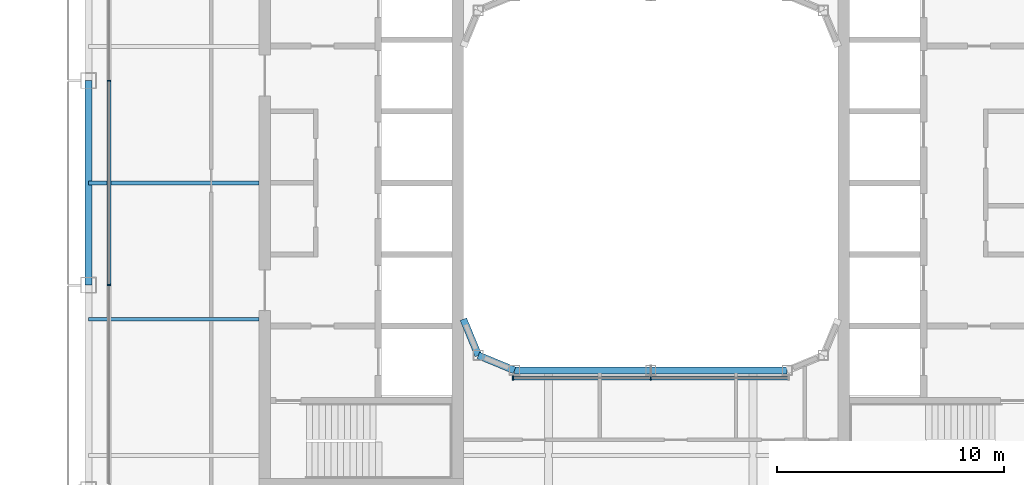
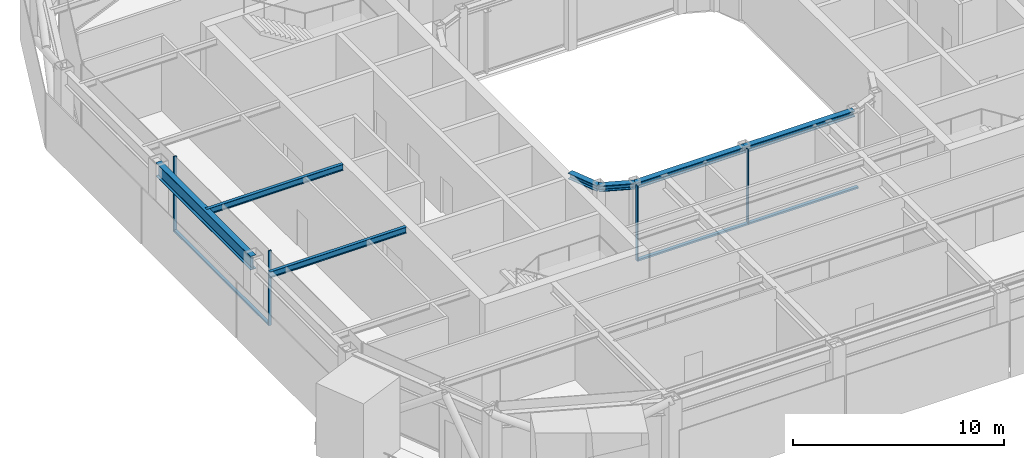
# One storey, part 5 of 21: 7 beams, 7 members, 2 elements without a shape of their own.
"""IFC4 building model written with IfcOpenShell, lengths in metres."""

from ifc_helpers import new_model, si_unit, direction, frame, origin, origin_2d, place, context, subcontext, project, spatial, rectangle, i_section, extrude, material, layer, layer_set, material_profile, profile_set, type_object, element, aggregate, save


model = new_model("IFC4")

# Units and contexts
model_context = context("Model", 3, precision=1e-05, world=origin(), true_north=direction((0.0, 1.0)))
body_context = subcontext(model_context, "Body", "Model", "MODEL_VIEW")
ifc_project = project(units=[si_unit("LENGTHUNIT", "METRE"), si_unit("AREAUNIT", "SQUARE_METRE"), si_unit("VOLUMEUNIT", "CUBIC_METRE"), si_unit("PLANEANGLEUNIT", "RADIAN"), si_unit("MASSUNIT", "GRAM", prefix="KILO")], contexts=[model_context])

# Site, building, storey
site_placement = place(None, origin())
site = spatial("IfcSite", under=ifc_project, at=site_placement, CompositionType="ELEMENT")
building_placement = place(site_placement, origin())
building = spatial("IfcBuilding", under=site, at=building_placement, Name="Siwar Civic Tower", CompositionType="ELEMENT")
storey_placement = place(building_placement, frame((0.0, 0.0, 334.699951171875)))
storey = spatial("IfcBuildingStorey", under=building, at=storey_placement, Name="L72", CompositionType="ELEMENT", Elevation=334.699951171875)

# Curtain wall, members
ifc_material_1 = material(Name="Aluminium and glass", Category="aluminium")
ifc_layer_1 = layer(ifc_material_1, 0.159912109375)
ifc_layer_set_1 = layer_set([ifc_layer_1], Name="Aluminium and glass")
curtain_wall_type_1 = type_object("IfcCurtainWallType", Name="ENV-CW-D", PredefinedType="NOTDEFINED", material=ifc_layer_set_1)
curtain_wall_1_placement = place(storey_placement, origin())
curtain_wall_1 = element("IfcCurtainWall", 1, at=curtain_wall_1_placement, inside=storey, type_object=curtain_wall_type_1, Name="Curtain wall D W", PredefinedType="NOTDEFINED")
ifc_material_2 = material(Name="Aluminium 6063-T6", Category="aluminium")
ifc_material_profile_1 = material_profile(ifc_material_2, rectangle(XDim=0.159912109375, YDim=0.06005859375, at=origin_2d()), Name="AL 160x60")
ifc_profile_set_1 = profile_set([ifc_material_profile_1], Name="Aluminium 6063-T6")
member_type_1 = type_object("IfcMemberType", Name="ENV-MULLION-D", PredefinedType="MULLION", material=ifc_profile_set_1)
member_1_placement = place(storey_placement, frame((-23.85009765625, 4.5, 0.0), z_axis=(0.0, 0.0, 1.0), x_axis=(1.0, 0.0, 0.0)))
member_1 = element("IfcMember", 2, at=member_1_placement, type_object=member_type_1, Name="Mullion D W 2", PredefinedType="MULLION", context=body_context, shape_type="SweptSolid", body=[
    extrude(rectangle(XDim=0.159912109375, YDim=0.06005859375, at=origin_2d()), origin(), (0.0, 0.0, 1.0), 4.35009765625),
])
member_2_placement = place(storey_placement, frame((-23.85009765625, -4.5, 0.0), z_axis=(0.0, 0.0, 1.0), x_axis=(1.0, 0.0, 0.0)))
member_2 = element("IfcMember", 3, at=member_2_placement, type_object=member_type_1, Name="Mullion D W 3", PredefinedType="MULLION", context=body_context, shape_type="SweptSolid", body=[
    extrude(rectangle(XDim=0.159912109375, YDim=0.06005859375, at=origin_2d()), origin(), (0.0, 0.0, 1.0), 4.35009765625),
])

ifc_material_3 = material(Name="Aluminium and glass", Category="aluminium")
ifc_layer_2 = layer(ifc_material_3, 0.179931640625)
ifc_layer_set_2 = layer_set([ifc_layer_2], Name="Aluminium and glass")
curtain_wall_type_2 = type_object("IfcCurtainWallType", Name="ENV-CW-W", PredefinedType="NOTDEFINED", material=ifc_layer_set_2)
curtain_wall_2_placement = place(storey_placement, origin())
curtain_wall_2 = element("IfcCurtainWall", 4, at=curtain_wall_2_placement, inside=storey, type_object=curtain_wall_type_2, Name="Curtain wall W WS", PredefinedType="NOTDEFINED")
ifc_material_4 = material(Name="Aluminium 6063-T6", Category="aluminium")
ifc_material_profile_2 = material_profile(ifc_material_4, rectangle(XDim=0.179931640625, YDim=0.06005859375, at=origin_2d()), Name="AL 180x60")
ifc_profile_set_2 = profile_set([ifc_material_profile_2], Name="Aluminium 6063-T6")
member_type_2 = type_object("IfcMemberType", Name="ENV-MULLION-W", PredefinedType="MULLION", material=ifc_profile_set_2)
member_3_placement = place(storey_placement, frame((-6.066650390625, -8.5849609375, 0.0), z_axis=(0.0, 0.0, 1.0), x_axis=(0.0, 1.0, 0.0)))
member_3 = element("IfcMember", 5, at=member_3_placement, type_object=member_type_2, Name="Mullion W WS 1", PredefinedType="MULLION", context=body_context, shape_type="SweptSolid", body=[
    extrude(rectangle(XDim=0.179931640625, YDim=0.06005859375, at=origin_2d()), origin(), (0.0, 0.0, 1.0), 4.35009765625),
])
member_4_placement = place(storey_placement, frame((0.0, -8.5849609375, 0.0), z_axis=(0.0, 0.0, 1.0), x_axis=(0.0, 1.0, 0.0)))
member_4 = element("IfcMember", 6, at=member_4_placement, type_object=member_type_2, Name="Mullion W WS 2", PredefinedType="MULLION", context=body_context, shape_type="SweptSolid", body=[
    extrude(rectangle(XDim=0.179931640625, YDim=0.06005859375, at=origin_2d()), origin(), (0.0, 0.0, 1.0), 4.35009765625),
])

# Member
ifc_material_5 = material(Name="Aluminium 6063-T6", Category="aluminium")
ifc_material_profile_3 = material_profile(ifc_material_5, rectangle(XDim=0.159912109375, YDim=0.10009765625, at=origin_2d()), Name="AL 160x100")
ifc_profile_set_3 = profile_set([ifc_material_profile_3], Name="Aluminium 6063-T6")
member_type_3 = type_object("IfcMemberType", Name="ENV-TRANSOM-D", PredefinedType="USERDEFINED", material=ifc_profile_set_3)
member_5_placement = place(storey_placement, frame((-23.85009765625, 4.469970703125, 0.050048828125), z_axis=(0.0, -1.0, 0.0), x_axis=(1.0, 0.0, 0.0)))
member_5 = element("IfcMember", 7, at=member_5_placement, type_object=member_type_3, Name="Transom D W 2", ObjectType="TRANSOM", PredefinedType="USERDEFINED", context=body_context, shape_type="SweptSolid", body=[
    extrude(rectangle(XDim=0.159912109375, YDim=0.10009765625, at=origin_2d()), origin(), (0.0, 0.0, 1.0), 8.93994140625),
])

aggregate(curtain_wall_1, [member_1, member_2, member_5])

ifc_material_6 = material(Name="Aluminium 6063-T6", Category="aluminium")
ifc_material_profile_4 = material_profile(ifc_material_6, rectangle(XDim=0.179931640625, YDim=0.10009765625, at=origin_2d()), Name="AL 180x100")
ifc_profile_set_4 = profile_set([ifc_material_profile_4], Name="Aluminium 6063-T6")
member_type_4 = type_object("IfcMemberType", Name="ENV-TRANSOM-W", PredefinedType="USERDEFINED", material=ifc_profile_set_4)
member_6_placement = place(storey_placement, frame((-6.03662109375, -8.5849609375, 0.050048828125), z_axis=(1.0, 0.0, 0.0), x_axis=(0.0, 1.0, 0.0)))
member_6 = element("IfcMember", 8, at=member_6_placement, type_object=member_type_4, Name="Transom W WS 1", ObjectType="TRANSOM", PredefinedType="USERDEFINED", context=body_context, shape_type="SweptSolid", body=[
    extrude(rectangle(XDim=0.179931640625, YDim=0.10009765625, at=origin_2d()), origin(), (0.0, 0.0, 1.0), 6.006591796875),
])

member_7_placement = place(storey_placement, frame((0.030029296875, -8.5849609375, 0.050048828125), z_axis=(1.0, 0.0, 0.0), x_axis=(0.0, 1.0, 0.0)))
member_7 = element("IfcMember", 9, at=member_7_placement, type_object=member_type_4, Name="Transom W WS 2", ObjectType="TRANSOM", PredefinedType="USERDEFINED", context=body_context, shape_type="SweptSolid", body=[
    extrude(rectangle(XDim=0.179931640625, YDim=0.10009765625, at=origin_2d()), origin(), (0.0, 0.0, 1.0), 6.006591796875),
])

aggregate(curtain_wall_2, [member_3, member_4, member_6, member_7])

# Beams
ifc_material_7 = material(Name="Steel S355", Category="steel")
ifc_material_profile_5 = material_profile(ifc_material_7, i_section(OverallWidth=0.169921875, OverallDepth=0.360107421875, WebThickness=0.008056640625, FlangeThickness=0.0126953125, FilletRadius=0.01806640625, at=origin_2d()), Name="IPE360")
ifc_profile_set_5 = profile_set([ifc_material_profile_5], Name="Steel S355")
beam_type_1 = type_object("IfcBeamType", Name="STR-FB-IPE360", PredefinedType="JOIST", material=ifc_profile_set_5)
for number, where, z_axis, x_axis, name in (
    (10, (-24.75, -6.0, 4.170166015625), (1.0, 0.0, 0.0), (0.0, 1.0, 0.0), "L72/bm/F016"),
    (11, (-24.75, 0.0, 4.170166015625), (1.0, 0.0, 0.0), (0.0, 1.0, 0.0), "L72/bm/F018"),
):
    element("IfcBeam", number, at=place(storey_placement, frame(where, z_axis=z_axis, x_axis=x_axis)), inside=storey, type_object=beam_type_1, Name=name, PredefinedType="JOIST", context=body_context, shape_type="SweptSolid", body=[
        extrude(i_section(OverallWidth=0.169921875, OverallDepth=0.360107421875, WebThickness=0.008056640625, FlangeThickness=0.0126953125, FilletRadius=0.01806640625, at=origin_2d()), origin(), (0.0, 0.0, 1.0), 7.5),
    ])
ifc_material_8 = material(Name="Steel S355", Category="steel")
ifc_material_profile_6 = material_profile(ifc_material_8, i_section(OverallWidth=0.31005859375, OverallDepth=0.340087890625, WebThickness=0.02099609375, FlangeThickness=0.0390625, FilletRadius=0.027099609375, at=origin_2d()), Name="HEM300")
ifc_profile_set_6 = profile_set([ifc_material_profile_6], Name="Steel S355")
beam_type_2 = type_object("IfcBeamType", Name="STR-RB-HEM300", PredefinedType="BEAM", material=ifc_profile_set_6)
beam_1_placement = place(storey_placement, frame((-7.591064453125, -7.591064453125, 4.179931640625), z_axis=(0.923901072997, -0.382631424892, 0.0), x_axis=(0.382631424892, 0.923901072997, 0.0)))
element("IfcBeam", 12, at=beam_1_placement, inside=storey, type_object=beam_type_2, Name="L72/bm/RS0", PredefinedType="BEAM", context=body_context, shape_type="SweptSolid", body=[
    extrude(i_section(OverallWidth=0.31005859375, OverallDepth=0.340087890625, WebThickness=0.02099609375, FlangeThickness=0.0390625, FilletRadius=0.027099609375, at=origin_2d()), origin(), (0.0, 0.0, 1.0), 1.72216796875),
])
for number, where, z_axis, x_axis, name in (
    (13, (-6.0, -8.25, 4.179931640625), (1.0, 0.0, 0.0), (0.0, 1.0, 0.0), "L72/bm/RS1"),
    (14, (0.0, -8.25, 4.179931640625), (1.0, 0.0, 0.0), (0.0, 1.0, 0.0), "L72/bm/RS2"),
):
    element("IfcBeam", number, at=place(storey_placement, frame(where, z_axis=z_axis, x_axis=x_axis)), inside=storey, type_object=beam_type_2, Name=name, PredefinedType="BEAM", context=body_context, shape_type="SweptSolid", body=[
        extrude(i_section(OverallWidth=0.31005859375, OverallDepth=0.340087890625, WebThickness=0.02099609375, FlangeThickness=0.0390625, FilletRadius=0.027099609375, at=origin_2d()), origin(), (0.0, 0.0, 1.0), 6.0),
    ])
beam_2_placement = place(storey_placement, frame((-7.591064453125, -7.591064453125, 4.179931640625), z_axis=(-0.382631424892, 0.923901072997, 0.0), x_axis=(-0.923901072997, -0.382631424892, 0.0)))
element("IfcBeam", 15, at=beam_2_placement, inside=storey, type_object=beam_type_2, Name="L72/bm/RSEW", PredefinedType="BEAM", context=body_context, shape_type="SweptSolid", body=[
    extrude(i_section(OverallWidth=0.31005859375, OverallDepth=0.340087890625, WebThickness=0.02099609375, FlangeThickness=0.0390625, FilletRadius=0.027099609375, at=origin_2d()), origin(), (0.0, 0.0, 1.0), 1.72216796875),
])
ifc_material_9 = material(Name="Steel S355", Category="steel")
ifc_material_profile_7 = material_profile(ifc_material_9, i_section(OverallWidth=0.300048828125, OverallDepth=0.800048828125, WebThickness=0.017578125, FlangeThickness=0.032958984375, FilletRadius=0.030029296875, at=origin_2d()), Name="HEB800")
ifc_profile_set_7 = profile_set([ifc_material_profile_7], Name="Steel S355")
beam_type_3 = type_object("IfcBeamType", Name="STR-SB-HEB800", PredefinedType="BEAM", material=ifc_profile_set_7)
beam_3_placement = place(storey_placement, frame((-24.75, 4.5, 3.949951171875), z_axis=(0.0, -1.0, 0.0), x_axis=(1.0, 0.0, 0.0)))
element("IfcBeam", 16, at=beam_3_placement, inside=storey, type_object=beam_type_3, Name="L72/bm/SW-1", PredefinedType="BEAM", context=body_context, shape_type="SweptSolid", body=[
    extrude(i_section(OverallWidth=0.300048828125, OverallDepth=0.800048828125, WebThickness=0.017578125, FlangeThickness=0.032958984375, FilletRadius=0.030029296875, at=origin_2d()), origin(), (0.0, 0.0, 1.0), 9.0),
])

save(model, "model.ifc")
